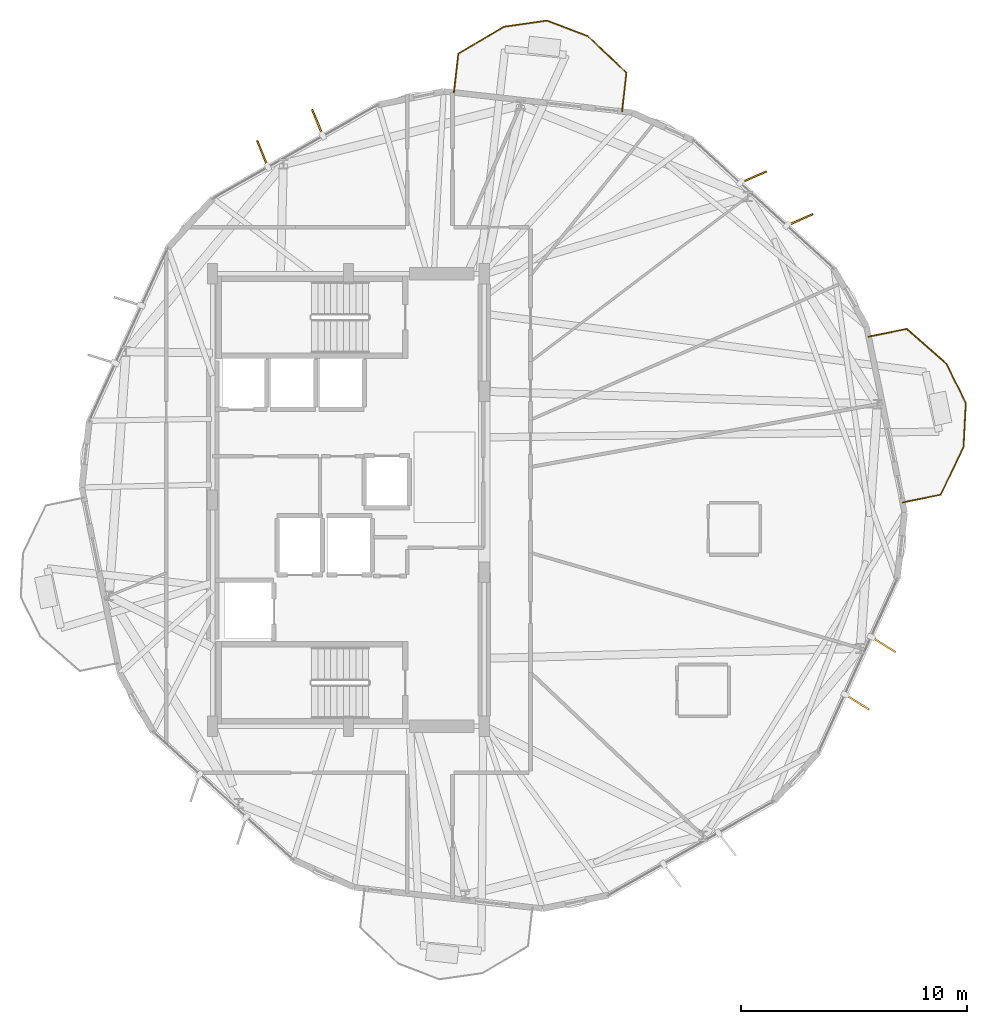
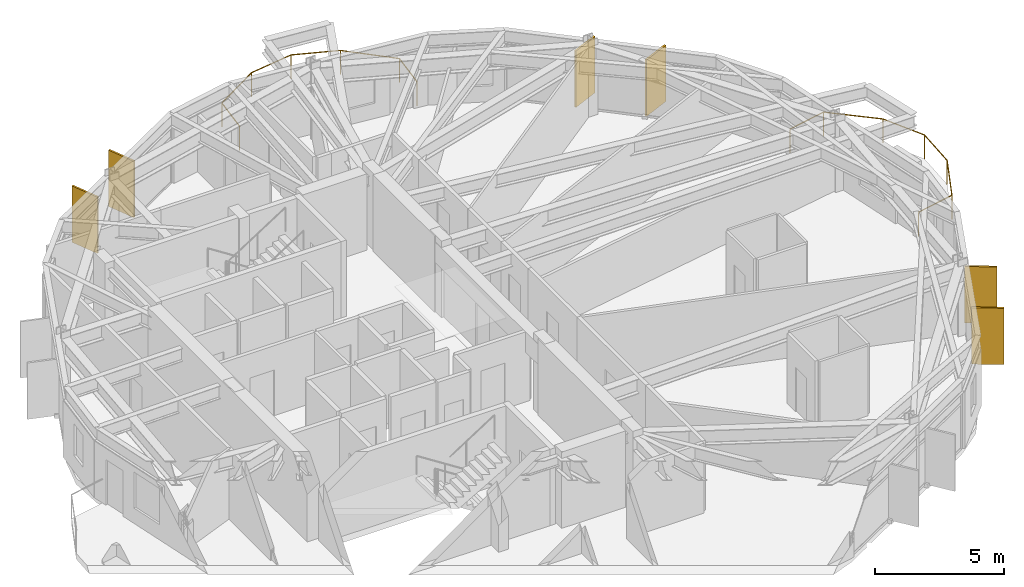
# One storey, part 22 of 22: 6 shading devices, 2 railings.
"""IFC4 building model written with IfcOpenShell, lengths in metres."""

from ifc_helpers import new_model, si_unit, direction, frame, origin, origin_2d, place, context, subcontext, project, spatial, rectangle, circle, extrude, material, layer, layer_set, type_object, element, save


model = new_model("IFC4")

# Units and contexts
model_context = context("Model", 3, precision=1e-05, world=origin(), true_north=direction((0.0, 1.0)))
body_context = subcontext(model_context, "Body", "Model", "MODEL_VIEW")
ifc_project = project(units=[si_unit("LENGTHUNIT", "METRE"), si_unit("AREAUNIT", "SQUARE_METRE"), si_unit("VOLUMEUNIT", "CUBIC_METRE"), si_unit("PLANEANGLEUNIT", "RADIAN"), si_unit("MASSUNIT", "GRAM", prefix="KILO")], contexts=[model_context])

# Site, building, storey
site_placement = place(None, origin())
site = spatial("IfcSite", under=ifc_project, at=site_placement, CompositionType="ELEMENT")
building_placement = place(site_placement, origin())
building = spatial("IfcBuilding", under=site, at=building_placement, Name="Soratama Intermodal Tower", CompositionType="ELEMENT")
storey_placement = place(building_placement, frame((0.0, 0.0, 142.60009765625)))
storey = spatial("IfcBuildingStorey", under=building, at=storey_placement, Name="L34", CompositionType="ELEMENT", Elevation=142.60009765625)

# Railings
ifc_material_1 = material(Name="Laminated glass and stainless steel balustrade", Category="steel")
railing_type = type_object("IfcRailingType", Name="RL-BAL-1150", PredefinedType="BALUSTRADE", material=ifc_material_1)
railing_1_placement = place(storey_placement, frame((61.58935546875, 32.21875, 0.0)))
element("IfcRailing", 1, at=railing_1_placement, inside=storey, type_object=railing_type, Name="L34 Balcony Balustrade 1", PredefinedType="BALUSTRADE", context=body_context, shape_type="SweptSolid", body=[
    extrude(circle(Radius=0.02392578125, at=origin_2d()), frame((0.0, 0.0, 1.1259765625), z_axis=(0.979652818411, 0.200699664624, 0.0), x_axis=(-0.200699664624, 0.979652818411, 0.0)), (0.0, 0.0, 1.0), 1.719970703125),
    extrude(circle(Radius=0.02392578125, at=origin_2d()), frame((1.68505859375, 0.34521484375, 1.1259765625), z_axis=(0.751124236863, -0.660160874937, 0.0), x_axis=(0.660160874937, 0.751124236863, 0.0)), (0.0, 0.0, 1.0), 2.345703125),
    extrude(circle(Radius=0.02392578125, at=origin_2d()), frame((3.447021484375, -1.203369140625, 1.1259765625), z_axis=(0.439973483481, -0.898010764876, 0.0), x_axis=(0.898010764876, 0.439973483481, 0.0)), (0.0, 0.0, 1.0), 1.9326171875),
    extrude(circle(Radius=0.02392578125, at=origin_2d()), frame((4.29736328125, -2.93896484375, 1.1259765625), z_axis=(-0.051411808522, -0.99867753852, 0.0), x_axis=(0.99867753852, -0.051411808522, 0.0)), (0.0, 0.0, 1.0), 1.9326171875),
    extrude(circle(Radius=0.02392578125, at=origin_2d()), frame((4.197998046875, -4.869140625, 1.1259765625), z_axis=(-0.430902976693, -0.902398262785, 0.0), x_axis=(0.902398262785, -0.430902976693, 0.0)), (0.0, 0.0, 1.0), 2.345703125),
    extrude(circle(Radius=0.02392578125, at=origin_2d()), frame((3.187255859375, -6.98583984375, 1.1259765625), z_axis=(-0.979652818411, -0.200699664624, 0.0), x_axis=(0.200699664624, -0.979652818411, 0.0)), (0.0, 0.0, 1.0), 1.719970703125),
    extrude(circle(Radius=0.02099609375, at=origin_2d()), origin(), (0.0, 0.0, 1.0), 1.101806640625),
    extrude(circle(Radius=0.02099609375, at=origin_2d()), frame((1.68505859375, 0.34521484375, 0.0)), (0.0, 0.0, 1.0), 1.101806640625),
    extrude(circle(Radius=0.02099609375, at=origin_2d()), frame((3.447021484375, -1.203369140625, 0.0)), (0.0, 0.0, 1.0), 1.101806640625),
    extrude(circle(Radius=0.02099609375, at=origin_2d()), frame((4.29736328125, -2.93896484375, 0.0)), (0.0, 0.0, 1.0), 1.101806640625),
    extrude(circle(Radius=0.02099609375, at=origin_2d()), frame((4.197998046875, -4.869140625, 0.0)), (0.0, 0.0, 1.0), 1.101806640625),
    extrude(circle(Radius=0.02099609375, at=origin_2d()), frame((3.187255859375, -6.98583984375, 0.0)), (0.0, 0.0, 1.0), 1.101806640625),
    extrude(circle(Radius=0.02099609375, at=origin_2d()), frame((1.502197265625, -7.3310546875, 0.0)), (0.0, 0.0, 1.0), 1.101806640625),
])
railing_2_placement = place(storey_placement, frame((43.260986328125, 43.00830078125, 0.0)))
element("IfcRailing", 2, at=railing_2_placement, inside=storey, type_object=railing_type, Name="L34 Balcony Balustrade 2", PredefinedType="BALUSTRADE", context=body_context, shape_type="SweptSolid", body=[
    extrude(circle(Radius=0.02392578125, at=origin_2d()), frame((0.0, 0.0, 1.1259765625), z_axis=(0.111864865918, 0.99372342821, 0.0), x_axis=(-0.99372342821, 0.111864865918, 0.0)), (0.0, 0.0, 1.0), 1.7197265625),
    extrude(circle(Radius=0.02392578125, at=origin_2d()), frame((0.1923828125, 1.708984375, 1.1259765625), z_axis=(0.85995324003, 0.510372829373, 0.0), x_axis=(-0.510372829373, 0.85995324003, 0.0)), (0.0, 0.0, 1.0), 2.345947265625),
    extrude(circle(Radius=0.02392578125, at=origin_2d()), frame((2.209716796875, 2.90625, 1.1259765625), z_axis=(0.990012557651, 0.140979203055, 0.0), x_axis=(-0.140979203055, 0.990012557651, 0.0)), (0.0, 0.0, 1.0), 1.9326171875),
    extrude(circle(Radius=0.02392578125, at=origin_2d()), frame((4.123046875, 3.1787109375, 1.1259765625), z_axis=(0.933914191436, -0.357497248988, 0.0), x_axis=(0.357497248988, 0.933914191436, 0.0)), (0.0, 0.0, 1.0), 1.9326171875),
    extrude(circle(Radius=0.02392578125, at=origin_2d()), frame((5.927978515625, 2.48779296875, 1.1259765625), z_axis=(0.72508517639, -0.688659195088, 0.0), x_axis=(0.688659195088, 0.72508517639, 0.0)), (0.0, 0.0, 1.0), 2.345947265625),
    extrude(circle(Radius=0.02392578125, at=origin_2d()), frame((7.62890625, 0.872314453125, 1.1259765625), z_axis=(-0.111849087414, -0.993725204292, 0.0), x_axis=(0.993725204292, -0.111849087414, 0.0)), (0.0, 0.0, 1.0), 1.719970703125),
    extrude(circle(Radius=0.02099609375, at=origin_2d()), origin(), (0.0, 0.0, 1.0), 1.101806640625),
    extrude(circle(Radius=0.02099609375, at=origin_2d()), frame((0.1923828125, 1.708984375, 0.0)), (0.0, 0.0, 1.0), 1.101806640625),
    extrude(circle(Radius=0.02099609375, at=origin_2d()), frame((2.209716796875, 2.90625, 0.0)), (0.0, 0.0, 1.0), 1.101806640625),
    extrude(circle(Radius=0.02099609375, at=origin_2d()), frame((4.123046875, 3.1787109375, 0.0)), (0.0, 0.0, 1.0), 1.101806640625),
    extrude(circle(Radius=0.02099609375, at=origin_2d()), frame((5.927978515625, 2.48779296875, 0.0)), (0.0, 0.0, 1.0), 1.101806640625),
    extrude(circle(Radius=0.02099609375, at=origin_2d()), frame((7.62890625, 0.872314453125, 0.0)), (0.0, 0.0, 1.0), 1.101806640625),
    extrude(circle(Radius=0.02099609375, at=origin_2d()), frame((7.4365234375, -0.8369140625, 0.0)), (0.0, 0.0, 1.0), 1.101806640625),
])

# Shading devices
ifc_material_2 = material(Name="Champagne anodised aluminium solar fin", Category="aluminium")
ifc_layer = layer(ifc_material_2, 0.080078125)
ifc_layer_set = layer_set([ifc_layer], Name="Champagne anodised aluminium solar fin")
shading_device_type = type_object("IfcShadingDeviceType", Name="SH-FIN-1250", PredefinedType="USERDEFINED", material=ifc_layer_set)
for number, where, z_axis, x_axis, name in (
    (3, (58.562744140625, 37.382568359375, 0.02001953125), (0.0, 0.0, 1.0), (0.916502421907, 0.400029137237, 0.0), "L34 Solar Fin F01-1"),
    (4, (56.5, 39.267578125, 0.02001953125), (0.0, 0.0, 1.0), (0.916502421907, 0.400029137237, 0.0), "L34 Solar Fin F01-2"),
    (5, (37.23388671875, 41.680908203125, 0.02001953125), (0.0, 0.0, 1.0), (-0.377194315187, 0.926134141791, 0.0), "L34 Solar Fin F03-1"),
    (6, (34.8037109375, 40.301513671875, 0.02001953125), (0.0, 0.0, 1.0), (-0.377194315187, 0.926134141791, 0.0), "L34 Solar Fin F03-2"),
    (7, (61.08740234375, 16.069580078125, 0.02001953125), (0.0, 0.0, 1.0), (0.849524601357, -0.527549004064, 0.0), "L34 Solar Fin F09-1"),
    (8, (62.242919921875, 18.614013671875, 0.02001953125), (0.0, 0.0, 1.0), (0.849524601357, -0.527549004064, 0.0), "L34 Solar Fin F09-2"),
):
    element("IfcShadingDevice", number, at=place(storey_placement, frame(where, z_axis=z_axis, x_axis=x_axis)), inside=storey, type_object=shading_device_type, Name=name, ObjectType="FIN", PredefinedType="USERDEFINED", context=body_context, shape_type="SweptSolid", body=[
        extrude(rectangle(XDim=1.25, YDim=0.080078125, at=origin_2d()), origin(), (0.0, 0.0, 1.0), 2.658935546875),
    ])

save(model, "model.ifc")
